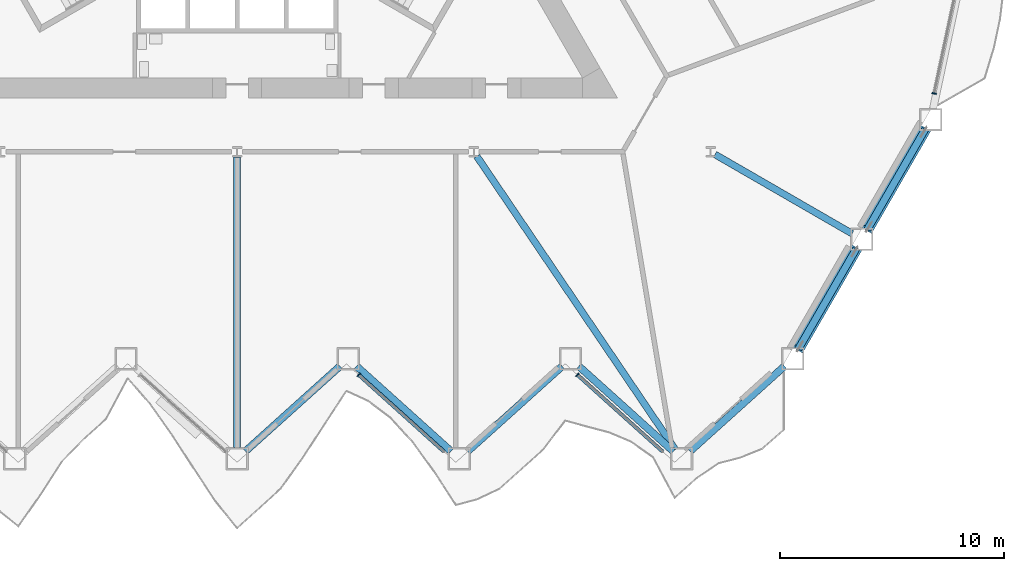
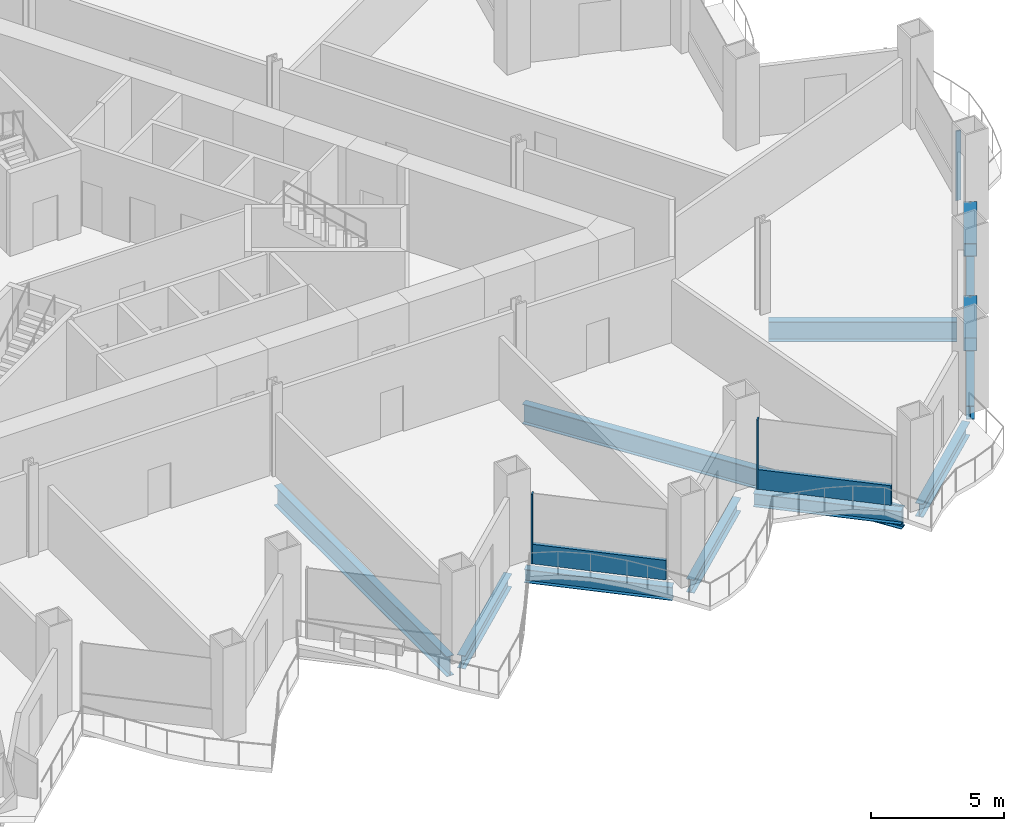
# One storey, part 4 of 20: 10 beams, 7 members, 3 elements without a shape of their own.
"""IFC4 building model written with IfcOpenShell, lengths in metres."""

from ifc_helpers import new_model, si_unit, direction, frame, origin, origin_2d, place, context, subcontext, project, spatial, rectangle, hollow_rectangle, i_section, extrude, material, layer, layer_set, material_profile, profile_set, type_object, element, aggregate, save


model = new_model("IFC4")

# Units and contexts
model_context = context("Model", 3, precision=1e-05, world=origin(), true_north=direction((0.0, 1.0)))
body_context = subcontext(model_context, "Body", "Model", "MODEL_VIEW")
ifc_project = project(units=[si_unit("LENGTHUNIT", "METRE"), si_unit("AREAUNIT", "SQUARE_METRE"), si_unit("VOLUMEUNIT", "CUBIC_METRE"), si_unit("PLANEANGLEUNIT", "RADIAN"), si_unit("MASSUNIT", "GRAM", prefix="KILO")], contexts=[model_context])

# Site, building, storey
site_placement = place(None, origin())
site = spatial("IfcSite", under=ifc_project, at=site_placement, CompositionType="ELEMENT")
building_placement = place(site_placement, origin())
building = spatial("IfcBuilding", under=site, at=building_placement, Name="Cormorant Prow Tower", CompositionType="ELEMENT")
storey_placement = place(building_placement, frame((0.0, 0.0, 55.199951171875)))
storey = spatial("IfcBuildingStorey", under=building, at=storey_placement, Name="L11", CompositionType="ELEMENT", Elevation=55.199951171875)

# Members
ifc_material_1 = material(Name="Structural steel ASTM A500 Gr C", Category="steel")
ifc_material_profile_1 = material_profile(ifc_material_1, hollow_rectangle(XDim=0.508056640625, YDim=0.508056640625, WallThickness=0.014892578125, at=origin_2d()), Name="HSS20x20x5/8")
ifc_profile_set_1 = profile_set([ifc_material_profile_1], Name="Structural steel ASTM A500 Gr C")
member_type_1 = type_object("IfcMemberType", Name="Chamfer brace HSS20x20x5/8", PredefinedType="BRACE", material=ifc_profile_set_1)
for number, where, z_axis, x_axis, name in (
    (1, (27.65576171875, -16.566162109375, 0.767333984375), (-0.475899695849, -0.824255918841, 0.306792535351), (0.866018434186, -0.500012071504, 0.0), "Chamfer brace BR1 at ESE00 L11"),
    (2, (30.74072265625, -11.222900390625, 0.767333984375), (-0.475881936113, -0.824270433724, 0.306781086395), (0.866030326616, -0.499991473309, 0.0), "Chamfer brace BR1 at ESE01 L11"),
):
    element("IfcMember", number, at=place(storey_placement, frame(where, z_axis=z_axis, x_axis=x_axis)), inside=storey, type_object=member_type_1, Name=name, PredefinedType="BRACE", context=body_context, shape_type="SweptSolid", body=[
        extrude(hollow_rectangle(XDim=0.508056640625, YDim=0.508056640625, WallThickness=0.014892578125, at=origin_2d()), origin(), (0.0, 0.0, 1.0), 5.392333984375),
    ])

# Curtain wall, member
ifc_material_2 = material(Name="Aluminium 6063-T6", Category="aluminium")
ifc_layer = layer(ifc_material_2, 0.199951171875)
ifc_layer_set = layer_set([ifc_layer], Name="Aluminium 6063-T6")
curtain_wall_type = type_object("IfcCurtainWallType", Name="Office unitised curtain wall 200", PredefinedType="NOTDEFINED", material=ifc_layer_set)
curtain_wall_1_placement = place(storey_placement, origin())
curtain_wall_1 = element("IfcCurtainWall", 3, at=curtain_wall_1_placement, inside=storey, type_object=curtain_wall_type, Name="Office curtain wall S06", PredefinedType="NOTDEFINED")
ifc_material_3 = material(Name="Aluminium 6063-T6", Category="aluminium")
ifc_material_profile_2 = material_profile(ifc_material_3, rectangle(XDim=0.199951171875, YDim=0.06005859375, at=origin_2d()), Name="Office mullion 60x200")
ifc_profile_set_2 = profile_set([ifc_material_profile_2], Name="Aluminium 6063-T6")
member_type_2 = type_object("IfcMemberType", Name="Office mullion 60x200", PredefinedType="MULLION", material=ifc_profile_set_2)
member_1_placement = place(storey_placement, frame((5.4326171875, -22.176513671875, 0.0), z_axis=(0.0, 0.0, 1.0), x_axis=(0.669130625166, 0.743144808544, 0.0)))
member_1 = element("IfcMember", 4, at=member_1_placement, type_object=member_type_2, Name="Office mullion S06", PredefinedType="MULLION", context=body_context, shape_type="SweptSolid", body=[
    extrude(rectangle(XDim=0.199951171875, YDim=0.06005859375, at=origin_2d()), origin(), (0.0, 0.0, 1.0), 3.18896484375),
])

curtain_wall_2_placement = place(storey_placement, origin())
curtain_wall_2 = element("IfcCurtainWall", 5, at=curtain_wall_2_placement, inside=storey, type_object=curtain_wall_type, Name="Office curtain wall S08", PredefinedType="NOTDEFINED")
member_2_placement = place(storey_placement, frame((15.2080078125, -22.176513671875, 0.0), z_axis=(0.0, 0.0, 1.0), x_axis=(0.669130625166, 0.743144808544, 0.0)))
member_2 = element("IfcMember", 6, at=member_2_placement, type_object=member_type_2, Name="Office mullion S08", PredefinedType="MULLION", context=body_context, shape_type="SweptSolid", body=[
    extrude(rectangle(XDim=0.199951171875, YDim=0.06005859375, at=origin_2d()), origin(), (0.0, 0.0, 1.0), 3.18896484375),
])

curtain_wall_3_placement = place(storey_placement, origin())
curtain_wall_3 = element("IfcCurtainWall", 7, at=curtain_wall_3_placement, inside=storey, type_object=curtain_wall_type, Name="Office curtain wall ENE00", PredefinedType="NOTDEFINED")
member_3_placement = place(storey_placement, frame((31.15234375, -9.604736328125, 0.0), z_axis=(0.0, 0.0, 1.0), x_axis=(-0.978147607222, 0.207911660293, 0.0)))
member_3 = element("IfcMember", 8, at=member_3_placement, type_object=member_type_2, Name="Office mullion ENE00", PredefinedType="MULLION", context=body_context, shape_type="SweptSolid", body=[
    extrude(rectangle(XDim=0.199951171875, YDim=0.06005859375, at=origin_2d()), origin(), (0.0, 0.0, 1.0), 3.18896484375),
])
aggregate(curtain_wall_3, [member_3])

# Member
ifc_material_4 = material(Name="Terracotta", Category="masonry")
ifc_material_profile_3 = material_profile(ifc_material_4, rectangle(XDim=0.159912109375, YDim=0.89990234375, at=origin_2d()), Name="Office terracotta spandrel rail 160x900")
ifc_profile_set_3 = profile_set([ifc_material_profile_3], Name="Terracotta")
member_type_3 = type_object("IfcMemberType", Name="Office terracotta spandrel rail 160x900", PredefinedType="USERDEFINED", material=ifc_profile_set_3)
member_4_placement = place(storey_placement, frame((5.454833984375, -22.196533203125, 0.449951171875), z_axis=(0.743156371999, -0.669117782425, 0.0), x_axis=(0.669117782425, 0.743156371999, 0.0)))
member_4 = element("IfcMember", 9, at=member_4_placement, type_object=member_type_3, Name="Office spandrel rail S06", ObjectType="TRANSOM", PredefinedType="USERDEFINED", context=body_context, shape_type="SweptSolid", body=[
    extrude(rectangle(XDim=0.159912109375, YDim=0.89990234375, at=origin_2d()), origin(), (0.0, 0.0, 1.0), 5.111083984375),
])

aggregate(curtain_wall_1, [member_1, member_4])

member_5_placement = place(storey_placement, frame((15.230224609375, -22.196533203125, 0.449951171875), z_axis=(0.743156371999, -0.669117782425, 0.0), x_axis=(0.669117782425, 0.743156371999, 0.0)))
member_5 = element("IfcMember", 10, at=member_5_placement, type_object=member_type_3, Name="Office spandrel rail S08", ObjectType="TRANSOM", PredefinedType="USERDEFINED", context=body_context, shape_type="SweptSolid", body=[
    extrude(rectangle(XDim=0.159912109375, YDim=0.89990234375, at=origin_2d()), origin(), (0.0, 0.0, 1.0), 5.111083984375),
])

aggregate(curtain_wall_2, [member_2, member_5])

# Beams
ifc_material_5 = material(Name="Structural steel ASTM A992 Gr 50", Category="steel")
ifc_material_profile_4 = material_profile(ifc_material_5, i_section(OverallWidth=0.3046875, OverallDepth=0.914794921875, WebThickness=0.0166015625, FlangeThickness=0.02587890625, at=origin_2d()), Name="W36x160")
ifc_profile_set_4 = profile_set([ifc_material_profile_4], Name="Structural steel ASTM A992 Gr 50")
beam_type_1 = type_object("IfcBeamType", Name="Radial floor beam W36x160", PredefinedType="BEAM", material=ifc_profile_set_4)
beam_1_placement = place(storey_placement, frame((0.0, -12.447265625, -0.857421875), z_axis=(0.0, -1.0, 0.0), x_axis=(1.0, 0.0, 0.0)))
element("IfcBeam", 11, at=beam_1_placement, inside=storey, type_object=beam_type_1, Name="Radial floor beam FB1 7 L11", PredefinedType="BEAM", context=body_context, shape_type="SweptSolid", body=[
    extrude(i_section(OverallWidth=0.3046875, OverallDepth=0.914794921875, WebThickness=0.0166015625, FlangeThickness=0.02587890625, at=origin_2d()), origin(), (0.0, 0.0, 1.0), 12.984130859375),
])
beam_2_placement = place(storey_placement, frame((10.708740234375, -12.4072265625, -0.857421875), z_axis=(0.560597160775, -0.828088656685, 0.0), x_axis=(0.828088656685, 0.560597160775, 0.0)))
element("IfcBeam", 12, at=beam_2_placement, inside=storey, type_object=beam_type_1, Name="Radial floor beam FB1 8 L11", PredefinedType="BEAM", context=body_context, shape_type="SweptSolid", body=[
    extrude(i_section(OverallWidth=0.3046875, OverallDepth=0.914794921875, WebThickness=0.0166015625, FlangeThickness=0.02587890625, at=origin_2d()), origin(), (0.0, 0.0, 1.0), 15.831787109375),
])
beam_3_placement = place(storey_placement, frame((21.358154296875, -12.3310546875, -0.857421875), z_axis=(0.866014253463, -0.500019312426, 0.0), x_axis=(0.500019312426, 0.866014253463, 0.0)))
element("IfcBeam", 13, at=beam_3_placement, inside=storey, type_object=beam_type_1, Name="Radial floor beam FB1 9 L11", PredefinedType="BEAM", context=body_context, shape_type="SweptSolid", body=[
    extrude(i_section(OverallWidth=0.3046875, OverallDepth=0.914794921875, WebThickness=0.0166015625, FlangeThickness=0.02587890625, at=origin_2d()), origin(), (0.0, 0.0, 1.0), 7.071533203125),
])
ifc_material_6 = material(Name="Structural steel ASTM A992 Gr 50", Category="steel")
ifc_material_profile_5 = material_profile(ifc_material_6, i_section(OverallWidth=0.32373046875, OverallDepth=0.611083984375, WebThickness=0.0126953125, FlangeThickness=0.01904296875, at=origin_2d()), Name="W24x104")
ifc_profile_set_5 = profile_set([ifc_material_profile_5], Name="Structural steel ASTM A992 Gr 50")
beam_type_2 = type_object("IfcBeamType", Name="Spandrel beam W24x104", PredefinedType="SPANDREL", material=ifc_profile_set_5)
for number, where, z_axis, x_axis, name in (
    (14, (0.37158203125, -25.596923828125, -0.70556640625), (0.743129630386, 0.669147481833, 0.0), (-0.669147481833, 0.743129630386, 0.0), "Spandrel beam SB1 S05-S06 L11"),
    (15, (5.337646484375, -21.79443359375, -0.70556640625), (0.743129630386, -0.669147481833, 0.0), (0.669147481833, 0.743129630386, 0.0), "Spandrel beam SB1 S06-S07 L11"),
    (16, (10.3037109375, -25.596923828125, -0.70556640625), (0.743129630386, 0.669147481833, 0.0), (-0.669147481833, 0.743129630386, 0.0), "Spandrel beam SB1 S07-S08 L11"),
    (17, (15.269775390625, -21.79443359375, -0.70556640625), (0.743129630386, -0.669147481833, 0.0), (0.669147481833, 0.743129630386, 0.0), "Spandrel beam SB1 S08-S09 L11"),
    (18, (20.23583984375, -25.596923828125, -0.70556640625), (0.743129630386, 0.669147481833, 0.0), (-0.669147481833, 0.743129630386, 0.0), "Spandrel beam SB1 S09-ESE00 L11"),
):
    element("IfcBeam", number, at=place(storey_placement, frame(where, z_axis=z_axis, x_axis=x_axis)), inside=storey, type_object=beam_type_2, Name=name, PredefinedType="SPANDREL", context=body_context, shape_type="SweptSolid", body=[
        extrude(i_section(OverallWidth=0.32373046875, OverallDepth=0.611083984375, WebThickness=0.0126953125, FlangeThickness=0.01904296875, at=origin_2d()), origin(), (0.0, 0.0, 1.0), 5.6826171875),
    ])
for number, where, z_axis, x_axis, name in (
    (19, (25.080322265625, -21.02685546875, -0.70556640625), (0.500019507279, 0.866014140959, 0.0), (-0.866014140959, 0.500019507279, 0.0), "Spandrel beam SB1 ESE00-ESE01 L11"),
    (20, (28.165283203125, -15.683837890625, -0.70556640625), (0.49998408811, 0.866034590324, 0.0), (-0.866034590324, 0.49998408811, 0.0), "Spandrel beam SB1 ESE01-ENE00 L11"),
):
    element("IfcBeam", number, at=place(storey_placement, frame(where, z_axis=z_axis, x_axis=x_axis)), inside=storey, type_object=beam_type_2, Name=name, PredefinedType="SPANDREL", context=body_context, shape_type="SweptSolid", body=[
        extrude(i_section(OverallWidth=0.32373046875, OverallDepth=0.611083984375, WebThickness=0.0126953125, FlangeThickness=0.01904296875, at=origin_2d()), origin(), (0.0, 0.0, 1.0), 5.169677734375),
    ])

save(model, "model.ifc")
